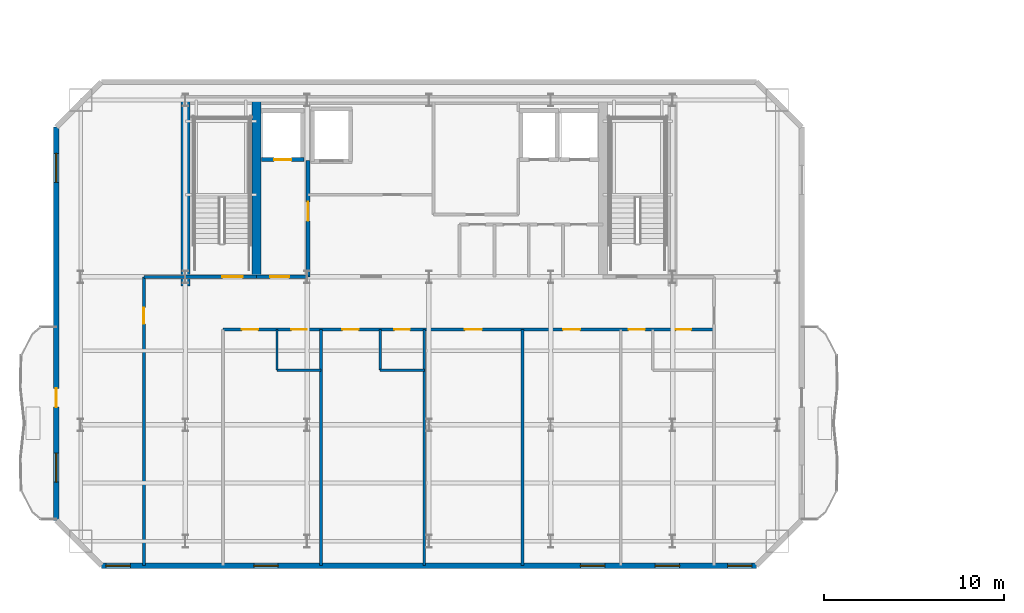
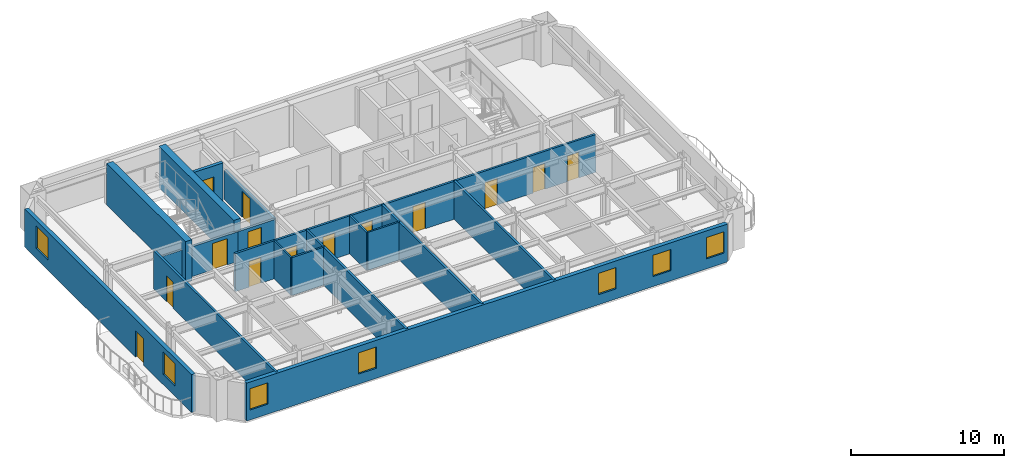
# One storey, part 5 of 13: 18 walls, 14 doors, 7 windows, 21 openings.
"""IFC4 building model written with IfcOpenShell, lengths in metres."""

import ifcopenshell
import ifcopenshell.guid

model = None  # the IFC model being written
_history = None  # IfcOwnerHistory: only IFC2X3 demands one
_inside = {}  # id of a spatial element -> (the spatial element, [elements in it])
_under = {}  # id of a project, library or spatial element -> (it, [spatial elements below it])
_declared = {}  # id of a project -> (the project, [libraries it declares])
_typed = {}  # id of a type object -> (the type object, [elements of that type])
_made_of = {}  # id of a material, layer set ... -> (it, [elements and type objects made of it])


def new_model(schema):
    """Start an empty IFC model of exactly this schema.

    Asked for "IFC4X3", IfcOpenShell would pick the latest addendum, in which some entities
    have other attributes; the version numbers below select the first issue.
    IFC2X3 requires an IfcOwnerHistory on every rooted entity: one is made here for all.
    """
    global model, _history
    if schema == "IFC4X3":
        model = ifcopenshell.file(schema_version=(4, 3, 0, 0))
    else:
        model = ifcopenshell.file(schema=schema)
    _inside.clear()
    _under.clear()
    _declared.clear()
    _typed.clear()
    _made_of.clear()
    _history = None
    if model.schema == "IFC2X3":
        org = make("IfcOrganization", Name="unknown")
        user = make(
            "IfcPersonAndOrganization",
            ThePerson=make("IfcPerson", FamilyName="unknown"),
            TheOrganization=org,
        )
        app = make(
            "IfcApplication",
            ApplicationDeveloper=org,
            Version="unknown",
            ApplicationFullName="unknown",
            ApplicationIdentifier="unknown",
        )
        _history = make(
            "IfcOwnerHistory",
            OwningUser=user,
            OwningApplication=app,
            ChangeAction="ADDED",
            CreationDate=0,
        )
    return model


def make(cls, **values):
    """One entity of the class cls with the attributes given. An attribute that is None is left unset."""
    return model.create_entity(
        cls, **{name: value for name, value in values.items() if value is not None}
    )


def rooted(cls, **values):
    """An entity with a GlobalId (a new one), such as an element, a storey or a relation."""
    return make(cls, GlobalId=ifcopenshell.guid.new(), OwnerHistory=_history, **values)


def si_unit(unit_type, name, prefix=None):
    """IfcSIUnit, for example si_unit("LENGTHUNIT", "METRE", prefix="MILLI")."""
    return make("IfcSIUnit", UnitType=unit_type, Prefix=prefix, Name=name)


def assignment(units):
    """IfcUnitAssignment: the units of a project."""
    return None if units is None else make("IfcUnitAssignment", Units=units)


def point(xyz):
    """IfcCartesianPoint."""
    return None if xyz is None else make("IfcCartesianPoint", Coordinates=xyz)


def direction(xyz):
    """IfcDirection."""
    return None if xyz is None else make("IfcDirection", DirectionRatios=xyz)


def frame(location, z_axis=None, x_axis=None):
    """IfcAxis2Placement3D, a coordinate frame: its origin and axes. An axis left out is left unset."""
    return make(
        "IfcAxis2Placement3D",
        Location=point(location),
        Axis=direction(z_axis),
        RefDirection=direction(x_axis),
    )


def frame_2d(location, x_axis=None):
    """IfcAxis2Placement2D, a coordinate frame in the plane: its origin and x axis."""
    return make(
        "IfcAxis2Placement2D", Location=point(location), RefDirection=direction(x_axis)
    )


def origin():
    """The frame at (0, 0, 0) with its axes left unset."""
    return frame((0.0, 0.0, 0.0))


def place(relative_to, where):
    """IfcLocalPlacement: puts the frame where relative to a parent placement (None: the world)."""
    return make(
        "IfcLocalPlacement", PlacementRelTo=relative_to, RelativePlacement=where
    )


def context(
    kind, dimensions, precision=None, world=None, true_north=None, identifier=None
):
    """IfcGeometricRepresentationContext, for example the 3D "Model" context."""
    return make(
        "IfcGeometricRepresentationContext",
        ContextIdentifier=identifier,
        ContextType=kind,
        CoordinateSpaceDimension=dimensions,
        Precision=precision,
        WorldCoordinateSystem=world,
        TrueNorth=true_north,
    )


def subcontext(parent, identifier, kind, view, scale=None):
    """IfcGeometricRepresentationSubContext, for example "Body" below "Model"."""
    return make(
        "IfcGeometricRepresentationSubContext",
        ContextIdentifier=identifier,
        ContextType=kind,
        ParentContext=parent,
        TargetScale=scale,
        TargetView=view,
    )


def project(units=None, contexts=None):
    """IfcProject with its units and contexts."""
    return rooted(
        "IfcProject",
        Name="project",
        RepresentationContexts=contexts,
        UnitsInContext=assignment(units),
    )


def spatial(cls, under=None, at=None, **own):
    """A site, building, storey or space (cls), placed at a placement, below another one or the project."""
    s = rooted(cls, ObjectPlacement=at, **own)
    if under is not None:
        _under.setdefault(under.id(), (under, []))[1].append(s)
    return s


def profile(cls, at=None, kind="AREA", **sizes):
    """A parametric profile (cls). Its sizes go by their IFC names, for example OverallWidth=200.0."""
    return make(cls, ProfileType=kind, Position=at, **sizes)


def rectangle(**sizes):
    """IfcRectangleProfileDef."""
    return profile("IfcRectangleProfileDef", **sizes)


def extrude(swept, where, along, depth):
    """IfcExtrudedAreaSolid: the profile swept, set in the frame where, extruded along a direction by depth."""
    return make(
        "IfcExtrudedAreaSolid",
        SweptArea=swept,
        Position=where,
        ExtrudedDirection=direction(along),
        Depth=depth,
    )


def shape(context_of_items, identifier, shape_type, items):
    """IfcShapeRepresentation: the items that make up one representation, for example the "Body"."""
    return make(
        "IfcShapeRepresentation",
        ContextOfItems=context_of_items,
        RepresentationIdentifier=identifier,
        RepresentationType=shape_type,
        Items=items,
    )


def material(Name=None, Category=None):
    """IfcMaterial."""
    return make("IfcMaterial", Name=Name, Category=Category)


def layer(
    of_material, thickness, ventilated=None, Name=None, Category=None, Priority=None
):
    """IfcMaterialLayer: one layer of a wall or slab, of a material (None: an air gap)."""
    return make(
        "IfcMaterialLayer",
        Material=of_material,
        LayerThickness=thickness,
        IsVentilated=ventilated,
        Name=Name,
        Category=Category,
        Priority=Priority,
    )


def layer_set(layers, Name=None):
    """IfcMaterialLayerSet."""
    return make("IfcMaterialLayerSet", MaterialLayers=layers, LayerSetName=Name)


def made_of(thing, what):
    """Note that an element or type object is made of a material, layer set ...; save() writes the relation."""
    if what is not None:
        _made_of.setdefault(what.id(), (what, []))[1].append(thing)
    return thing


def type_object(cls, material=None, **own):
    """A type object (cls), such as IfcWallType, which elements share."""
    return made_of(rooted(cls, **own), material)


def element(
    cls,
    number,
    at=None,
    inside=None,
    cuts=None,
    type_object=None,
    material=None,
    context=None,
    identifier="Body",
    shape_type=None,
    held_by="IfcProductDefinitionShape",
    body=None,
    shapes=None,
    **own,
):
    """One element of the class cls, such as IfcWall. Its Tag is "e" and its number.

    at: its placement. inside: the storey or other place that contains it. cuts: it is an
    opening in that element (IfcRelVoidsElement). A single representation is given by context,
    identifier, shape_type and body (its items); several are given by shapes. held_by: the class
    of the entity that holds the representations. save() writes the other relations.
    """
    e = rooted(cls, Tag="e%d" % number, ObjectPlacement=at, **own)
    if body is not None:
        shapes = [shape(context, identifier, shape_type, body)]
    if shapes is not None:
        e.Representation = make(held_by, Representations=shapes)
    if inside is not None:
        _inside.setdefault(inside.id(), (inside, []))[1].append(e)
    if cuts is not None:
        rooted(
            "IfcRelVoidsElement", RelatingBuildingElement=cuts, RelatedOpeningElement=e
        )
    if type_object is not None:
        _typed.setdefault(type_object.id(), (type_object, []))[1].append(e)
    return made_of(e, material)


def fill(opening, filler):
    """IfcRelFillsElement: the door or window that sits in an opening."""
    return rooted(
        "IfcRelFillsElement",
        RelatingOpeningElement=opening,
        RelatedBuildingElement=filler,
    )


def aggregate(whole, parts):
    """IfcRelAggregates: a whole, such as a stair, and the parts it consists of."""
    return rooted("IfcRelAggregates", RelatingObject=whole, RelatedObjects=parts)


def save(model, path):
    """Write the relations noted so far, then the file.

    IfcRelAggregates (storeys below a building ...), IfcRelContainedInSpatialStructure (elements
    in a storey), IfcRelDefinesByType, IfcRelAssociatesMaterial and IfcRelDeclares: one each for
    every whole, place, type object, material and project.
    """
    for whole, parts in _under.values():
        aggregate(whole, parts)
    for where, things in _inside.values():
        rooted(
            "IfcRelContainedInSpatialStructure",
            RelatedElements=things,
            RelatingStructure=where,
        )
    for kind, things in _typed.values():
        rooted("IfcRelDefinesByType", RelatedObjects=things, RelatingType=kind)
    for what, things in _made_of.values():
        rooted("IfcRelAssociatesMaterial", RelatedObjects=things, RelatingMaterial=what)
    for by, libraries in _declared.values():
        rooted("IfcRelDeclares", RelatingContext=by, RelatedDefinitions=libraries)
    model.write(path)


model = new_model("IFC4")

# Units and contexts
model_context = context("Model", 3, precision=1e-05, world=origin(), true_north=direction((0.0, 1.0)))
body_context = subcontext(model_context, "Body", "Model", "MODEL_VIEW")
ifc_project = project(units=[si_unit("LENGTHUNIT", "METRE"), si_unit("AREAUNIT", "SQUARE_METRE"), si_unit("VOLUMEUNIT", "CUBIC_METRE"), si_unit("PLANEANGLEUNIT", "RADIAN"), si_unit("MASSUNIT", "GRAM", prefix="KILO")], contexts=[model_context])

# Site, building, storey
site_placement = place(None, origin())
site = spatial("IfcSite", under=ifc_project, at=site_placement, CompositionType="ELEMENT")
building_placement = place(site_placement, origin())
building = spatial("IfcBuilding", under=site, at=building_placement, Name="Haevon Station Towers", CompositionType="ELEMENT")
storey_placement = place(building_placement, frame((0.0, 0.0, 182.39990234375)))
storey = spatial("IfcBuildingStorey", under=building, at=storey_placement, Name="L50", CompositionType="ELEMENT", Elevation=182.39990234375)

# Wall, opening, door
ifc_material_1 = material(Name="Gypsum board on steel stud", Category="steel")
ifc_layer_1 = layer(ifc_material_1, 0.199951171875)
ifc_layer_set_1 = layer_set([ifc_layer_1], Name="Gypsum board on steel stud")
wall_type_1 = type_object("IfcWallType", Name="WL-COR200", PredefinedType="PARTITIONING", material=ifc_layer_set_1)
wall_1_placement = place(storey_placement, frame((24.0, 38.199951171875, 0.0), z_axis=(0.0, 0.0, 1.0), x_axis=(1.0, 0.0, 0.0)))
wall_1 = element("IfcWall", 1, at=wall_1_placement, inside=storey, type_object=wall_type_1, Name="WL-ST-ST1-L50", PredefinedType="PARTITIONING", context=body_context, shape_type="SweptSolid", body=[
    extrude(rectangle(XDim=3.949951171875, YDim=0.199951171875, at=frame_2d((1.97509765625, 0.0))), origin(), (0.0, 0.0, 1.0), 2.380126953125),
])
opening_1_placement = place(wall_1_placement, frame((2.050048828125, 0.0, 0.0)))
opening_1 = element("IfcOpeningElement", 2, at=opening_1_placement, cuts=wall_1, Name="Opening DR-ST-ST1-L50", PredefinedType="OPENING", context=body_context, shape_type="SweptSolid", body=[
    extrude(rectangle(XDim=1.1201171875, YDim=2.10009765625, at=frame_2d((0.56005859375, 1.050048828125))), frame((0.0, 0.10986328125, 0.0), z_axis=(0.0, -1.0, 0.0), x_axis=(1.0, 0.0, 0.0)), (0.0, 0.0, 1.0), 0.219970703125),
])
ifc_material_2 = material(Name="Engineered oak timber", Category="wood")
door_type_1 = type_object("IfcDoorType", Name="DR-ST-1120", OperationType="NOTDEFINED", PredefinedType="DOOR", material=ifc_material_2)
door_1_placement = place(opening_1_placement, origin())
door_1 = element("IfcDoor", 3, at=door_1_placement, inside=storey, type_object=door_type_1, Name="L50 Escape Stair ST1 Fire Door", OperationType="SINGLE_SWING_LEFT", OverallHeight=2.10009765625, OverallWidth=1.1201171875, PredefinedType="DOOR", context=body_context, shape_type="SweptSolid", body=[
    extrude(rectangle(XDim=1.1201171875, YDim=2.10009765625, at=frame_2d((0.56005859375, 1.050048828125))), frame((0.0, 0.02490234375, 0.0), z_axis=(0.0, -1.0, 0.0), x_axis=(1.0, 0.0, 0.0)), (0.0, 0.0, 1.0), 0.050048828125),
])
fill(opening_1, door_1)

wall_2_placement = place(storey_placement, frame((30.800048828125, 38.199951171875, 0.0), z_axis=(0.0, 0.0, 1.0), x_axis=(0.0, 1.0, 0.0)))
wall_2 = element("IfcWall", 4, at=wall_2_placement, inside=storey, type_object=wall_type_1, Name="WL-T1FFL-L50-E", PredefinedType="PARTITIONING", context=body_context, shape_type="SweptSolid", body=[
    extrude(rectangle(XDim=6.449951171875, YDim=0.199951171875, at=frame_2d((3.22509765625, 0.0))), origin(), (0.0, 0.0, 1.0), 2.380126953125),
])
opening_2_placement = place(wall_2_placement, frame((3.10009765625, 0.0, 0.0)))
opening_2 = element("IfcOpeningElement", 5, at=opening_2_placement, cuts=wall_2, Name="Opening DR-T1FFL-L50-E", PredefinedType="OPENING", context=body_context, shape_type="SweptSolid", body=[
    extrude(rectangle(XDim=1.050048828125, YDim=2.10009765625, at=frame_2d((0.52490234375, 1.050048828125))), frame((0.0, 0.10986328125, 0.0), z_axis=(0.0, -1.0, 0.0), x_axis=(1.0, 0.0, 0.0)), (0.0, 0.0, 1.0), 0.219970703125),
])
door_type_2 = type_object("IfcDoorType", Name="DR-FD60-1050", OperationType="NOTDEFINED", PredefinedType="DOOR", material=ifc_material_2)
door_2_placement = place(opening_2_placement, origin())
door_2 = element("IfcDoor", 6, at=door_2_placement, inside=storey, type_object=door_type_2, Name="L50 Tower 1 Firefighting Lift Lobby Door E", OperationType="SINGLE_SWING_LEFT", OverallHeight=2.10009765625, OverallWidth=1.050048828125, PredefinedType="DOOR", context=body_context, shape_type="SweptSolid", body=[
    extrude(rectangle(XDim=1.050048828125, YDim=2.10009765625, at=frame_2d((0.52490234375, 1.050048828125))), frame((0.0, 0.02490234375, 0.0), z_axis=(0.0, -1.0, 0.0), x_axis=(1.0, 0.0, 0.0)), (0.0, 0.0, 1.0), 0.050048828125),
])
fill(opening_2, door_2)

wall_3_placement = place(storey_placement, frame((27.949951171875, 38.199951171875, 0.0), z_axis=(0.0, 0.0, 1.0), x_axis=(1.0, 0.0, 0.0)))
wall_3 = element("IfcWall", 7, at=wall_3_placement, inside=storey, type_object=wall_type_1, Name="WL-T1FFL-L50-S", PredefinedType="PARTITIONING", context=body_context, shape_type="SweptSolid", body=[
    extrude(rectangle(XDim=2.85009765625, YDim=0.199951171875, at=frame_2d((1.425048828125, 0.0))), origin(), (0.0, 0.0, 1.0), 2.380126953125),
])
opening_3_placement = place(wall_3_placement, frame((0.75, 0.0, 0.0)))
opening_3 = element("IfcOpeningElement", 8, at=opening_3_placement, cuts=wall_3, Name="Opening DR-T1FFL-L50-S", PredefinedType="OPENING", context=body_context, shape_type="SweptSolid", body=[
    extrude(rectangle(XDim=1.050048828125, YDim=2.10009765625, at=frame_2d((0.52490234375, 1.050048828125))), frame((0.0, 0.10986328125, 0.0), z_axis=(0.0, -1.0, 0.0), x_axis=(1.0, 0.0, 0.0)), (0.0, 0.0, 1.0), 0.219970703125),
])
door_3_placement = place(opening_3_placement, origin())
door_3 = element("IfcDoor", 9, at=door_3_placement, inside=storey, type_object=door_type_2, Name="L50 Tower 1 Firefighting Lift Lobby Door S", OperationType="SINGLE_SWING_RIGHT", OverallHeight=2.10009765625, OverallWidth=1.050048828125, PredefinedType="DOOR", context=body_context, shape_type="SweptSolid", body=[
    extrude(rectangle(XDim=1.050048828125, YDim=2.10009765625, at=frame_2d((0.52490234375, 1.050048828125))), frame((0.0, 0.02490234375, 0.0), z_axis=(0.0, -1.0, 0.0), x_axis=(1.0, 0.0, 0.0)), (0.0, 0.0, 1.0), 0.050048828125),
])
fill(opening_3, door_3)

# Walls
ifc_material_3 = material(Name="Concrete C60/75", Category="concrete")
ifc_layer_2 = layer(ifc_material_3, 0.5)
ifc_layer_set_2 = layer_set([ifc_layer_2], Name="Concrete C60/75")
wall_type_2 = type_object("IfcWallType", Name="WL-CR500", PredefinedType="SHEAR", material=ifc_layer_set_2)
wall_4_placement = place(storey_placement, frame((24.0, 37.679931640625, 0.0), z_axis=(0.0, 0.0, 1.0), x_axis=(0.0, 1.0, 0.0)))
element("IfcWall", 10, at=wall_4_placement, inside=storey, type_object=wall_type_2, Name="WL-T1CR-L50-W", PredefinedType="SHEAR", context=body_context, shape_type="SweptSolid", body=[
    extrude(rectangle(XDim=10.320068359375, YDim=0.5, at=frame_2d((5.16015625, 0.0))), origin(), (0.0, 0.0, 1.0), 3.300048828125),
])
wall_5_placement = place(storey_placement, frame((27.949951171875, 38.199951171875, 0.0), z_axis=(0.0, 0.0, 1.0), x_axis=(0.0, 1.0, 0.0)))
element("IfcWall", 11, at=wall_5_placement, inside=storey, type_object=wall_type_2, Name="WL-T1CR-L50-M1", PredefinedType="SHEAR", context=body_context, shape_type="SweptSolid", body=[
    extrude(rectangle(XDim=9.800048828125, YDim=0.5, at=frame_2d((4.89990234375, 0.0))), origin(), (0.0, 0.0, 1.0), 3.300048828125),
])

# Wall, openings, windows
ifc_material_4 = material(Name="Precast concrete C45/55", Category="concrete")
ifc_layer_3 = layer(ifc_material_4, 0.300048828125)
ifc_layer_set_3 = layer_set([ifc_layer_3], Name="Precast concrete C45/55")
wall_type_3 = type_object("IfcWallType", Name="WL-EXT-PIER300", PredefinedType="SOLIDWALL", material=ifc_layer_set_3)
wall_6_placement = place(storey_placement, frame((55.64990234375, 22.199951171875, 0.0), z_axis=(0.0, 0.0, 1.0), x_axis=(-1.0, 0.0, 0.0)))
wall_6 = element("IfcWall", 12, at=wall_6_placement, inside=storey, type_object=wall_type_3, Name="WL-T1-L50-S", PredefinedType="SOLIDWALL", context=body_context, shape_type="SweptSolid", body=[
    extrude(rectangle(XDim=36.2998046875, YDim=0.300048828125, at=frame_2d((18.14990234375, 0.0))), origin(), (0.0, 0.0, 1.0), 3.030029296875),
])
opening_4_placement = place(wall_6_placement, frame((34.699951171875, 0.0, 0.800048828125)))
opening_4 = element("IfcOpeningElement", 13, at=opening_4_placement, cuts=wall_6, Name="Opening WN-P135", PredefinedType="OPENING", context=body_context, shape_type="SweptSolid", body=[
    extrude(rectangle(XDim=1.35009765625, YDim=1.699951171875, at=frame_2d((0.675048828125, 0.85009765625))), frame((0.0, 0.159912109375, 0.0), z_axis=(0.0, -1.0, 0.0), x_axis=(1.0, 0.0, 0.0)), (0.0, 0.0, 1.0), 0.320068359375),
])
opening_5_placement = place(wall_6_placement, frame((0.25, 0.0, 0.800048828125)))
opening_5 = element("IfcOpeningElement", 14, at=opening_5_placement, cuts=wall_6, Name="Opening WN-P135", PredefinedType="OPENING", context=body_context, shape_type="SweptSolid", body=[
    extrude(rectangle(XDim=1.35009765625, YDim=1.699951171875, at=frame_2d((0.675048828125, 0.85009765625))), frame((0.0, 0.159912109375, 0.0), z_axis=(0.0, -1.0, 0.0), x_axis=(1.0, 0.0, 0.0)), (0.0, 0.0, 1.0), 0.320068359375),
])
opening_6_placement = place(wall_6_placement, frame((26.50634765625, 0.0, 0.800048828125)))
opening_6 = element("IfcOpeningElement", 15, at=opening_6_placement, cuts=wall_6, Name="Opening WN-P135", PredefinedType="OPENING", context=body_context, shape_type="SweptSolid", body=[
    extrude(rectangle(XDim=1.35009765625, YDim=1.699951171875, at=frame_2d((0.675048828125, 0.85009765625))), frame((0.0, 0.159912109375, 0.0), z_axis=(0.0, -1.0, 0.0), x_axis=(1.0, 0.0, 0.0)), (0.0, 0.0, 1.0), 0.320068359375),
])
opening_7_placement = place(wall_6_placement, frame((8.40185546875, 0.0, 0.800048828125)))
opening_7 = element("IfcOpeningElement", 16, at=opening_7_placement, cuts=wall_6, Name="Opening WN-P135", PredefinedType="OPENING", context=body_context, shape_type="SweptSolid", body=[
    extrude(rectangle(XDim=1.35009765625, YDim=1.699951171875, at=frame_2d((0.675048828125, 0.85009765625))), frame((0.0, 0.159912109375, 0.0), z_axis=(0.0, -1.0, 0.0), x_axis=(1.0, 0.0, 0.0)), (0.0, 0.0, 1.0), 0.320068359375),
])
opening_8_placement = place(wall_6_placement, frame((4.260986328125, 0.0, 0.800048828125)))
opening_8 = element("IfcOpeningElement", 17, at=opening_8_placement, cuts=wall_6, Name="Opening WN-P135", PredefinedType="OPENING", context=body_context, shape_type="SweptSolid", body=[
    extrude(rectangle(XDim=1.35009765625, YDim=1.699951171875, at=frame_2d((0.675048828125, 0.85009765625))), frame((0.0, 0.159912109375, 0.0), z_axis=(0.0, -1.0, 0.0), x_axis=(1.0, 0.0, 0.0)), (0.0, 0.0, 1.0), 0.320068359375),
])
ifc_material_5 = material(Name="Low-E triple glazing in thermally broken aluminium", Category="aluminium")
window_type_1 = type_object("IfcWindowType", Name="WN-P135", PartitioningType="SINGLE_PANEL", PredefinedType="WINDOW", material=ifc_material_5)
window_1_placement = place(opening_4_placement, origin())
window_1 = element("IfcWindow", 18, at=window_1_placement, inside=storey, type_object=window_type_1, Name="WN-T1-L50-S01", OverallHeight=1.699951171875, OverallWidth=1.35009765625, PartitioningType="SINGLE_PANEL", PredefinedType="WINDOW", context=body_context, shape_type="SweptSolid", body=[
    extrude(rectangle(XDim=1.35009765625, YDim=1.699951171875, at=frame_2d((0.675048828125, 0.85009765625))), frame((0.0, 0.030029296875, 0.0), z_axis=(0.0, -1.0, 0.0), x_axis=(1.0, 0.0, 0.0)), (0.0, 0.0, 1.0), 0.06005859375),
])
fill(opening_4, window_1)
window_2_placement = place(opening_5_placement, origin())
window_2 = element("IfcWindow", 19, at=window_2_placement, inside=storey, type_object=window_type_1, Name="WN-T1-L50-S02", OverallHeight=1.699951171875, OverallWidth=1.35009765625, PartitioningType="SINGLE_PANEL", PredefinedType="WINDOW", context=body_context, shape_type="SweptSolid", body=[
    extrude(rectangle(XDim=1.35009765625, YDim=1.699951171875, at=frame_2d((0.675048828125, 0.85009765625))), frame((0.0, 0.030029296875, 0.0), z_axis=(0.0, -1.0, 0.0), x_axis=(1.0, 0.0, 0.0)), (0.0, 0.0, 1.0), 0.06005859375),
])
fill(opening_5, window_2)
window_3_placement = place(opening_6_placement, origin())
window_3 = element("IfcWindow", 20, at=window_3_placement, inside=storey, type_object=window_type_1, Name="WN-T1-L50-S03", OverallHeight=1.699951171875, OverallWidth=1.35009765625, PartitioningType="SINGLE_PANEL", PredefinedType="WINDOW", context=body_context, shape_type="SweptSolid", body=[
    extrude(rectangle(XDim=1.35009765625, YDim=1.699951171875, at=frame_2d((0.675048828125, 0.85009765625))), frame((0.0, 0.030029296875, 0.0), z_axis=(0.0, -1.0, 0.0), x_axis=(1.0, 0.0, 0.0)), (0.0, 0.0, 1.0), 0.06005859375),
])
fill(opening_6, window_3)
window_4_placement = place(opening_7_placement, origin())
window_4 = element("IfcWindow", 21, at=window_4_placement, inside=storey, type_object=window_type_1, Name="WN-T1-L50-S04", OverallHeight=1.699951171875, OverallWidth=1.35009765625, PartitioningType="SINGLE_PANEL", PredefinedType="WINDOW", context=body_context, shape_type="SweptSolid", body=[
    extrude(rectangle(XDim=1.35009765625, YDim=1.699951171875, at=frame_2d((0.675048828125, 0.85009765625))), frame((0.0, 0.030029296875, 0.0), z_axis=(0.0, -1.0, 0.0), x_axis=(1.0, 0.0, 0.0)), (0.0, 0.0, 1.0), 0.06005859375),
])
fill(opening_7, window_4)
window_5_placement = place(opening_8_placement, origin())
window_5 = element("IfcWindow", 22, at=window_5_placement, inside=storey, type_object=window_type_1, Name="WN-T1-L50-S05", OverallHeight=1.699951171875, OverallWidth=1.35009765625, PartitioningType="SINGLE_PANEL", PredefinedType="WINDOW", context=body_context, shape_type="SweptSolid", body=[
    extrude(rectangle(XDim=1.35009765625, YDim=1.699951171875, at=frame_2d((0.675048828125, 0.85009765625))), frame((0.0, 0.030029296875, 0.0), z_axis=(0.0, -1.0, 0.0), x_axis=(1.0, 0.0, 0.0)), (0.0, 0.0, 1.0), 0.06005859375),
])
fill(opening_8, window_5)

# Wall, openings, door, windows
wall_7_placement = place(storey_placement, frame((16.85009765625, 24.699951171875, 0.0), z_axis=(0.0, 0.0, 1.0), x_axis=(0.0, 1.0, 0.0)))
wall_7 = element("IfcWall", 23, at=wall_7_placement, inside=storey, type_object=wall_type_3, Name="WL-T1-L50-W", PredefinedType="SOLIDWALL", context=body_context, shape_type="SweptSolid", body=[
    extrude(rectangle(XDim=21.800048828125, YDim=0.300048828125, at=frame_2d((10.89990234375, 0.0))), origin(), (0.0, 0.0, 1.0), 3.030029296875),
])
opening_9_placement = place(wall_7_placement, frame((6.27490234375, 0.0, 0.0)))
opening_9 = element("IfcOpeningElement", 24, at=opening_9_placement, cuts=wall_7, Name="Opening DR-T1-SCAL-L50-W", PredefinedType="OPENING", context=body_context, shape_type="SweptSolid", body=[
    extrude(rectangle(XDim=1.050048828125, YDim=2.10009765625, at=frame_2d((0.52490234375, 1.050048828125))), frame((0.0, 0.159912109375, 0.0), z_axis=(0.0, -1.0, 0.0), x_axis=(1.0, 0.0, 0.0)), (0.0, 0.0, 1.0), 0.320068359375),
])
opening_10_placement = place(wall_7_placement, frame((2.128662109375, 0.0, 0.800048828125)))
opening_10 = element("IfcOpeningElement", 25, at=opening_10_placement, cuts=wall_7, Name="Opening WN-END160", PredefinedType="OPENING", context=body_context, shape_type="SweptSolid", body=[
    extrude(rectangle(XDim=1.60009765625, YDim=1.800048828125, at=frame_2d((0.800048828125, 0.89990234375))), frame((0.0, 0.159912109375, 0.0), z_axis=(0.0, -1.0, 0.0), x_axis=(1.0, 0.0, 0.0)), (0.0, 0.0, 1.0), 0.320068359375),
])
opening_11_placement = place(wall_7_placement, frame((18.735595703125, 0.0, 0.800048828125)))
opening_11 = element("IfcOpeningElement", 26, at=opening_11_placement, cuts=wall_7, Name="Opening WN-END160", PredefinedType="OPENING", context=body_context, shape_type="SweptSolid", body=[
    extrude(rectangle(XDim=1.60009765625, YDim=1.800048828125, at=frame_2d((0.800048828125, 0.89990234375))), frame((0.0, 0.159912109375, 0.0), z_axis=(0.0, -1.0, 0.0), x_axis=(1.0, 0.0, 0.0)), (0.0, 0.0, 1.0), 0.320068359375),
])
ifc_material_6 = material(Name="Thermally broken anodised aluminium and laminated safety glass", Category="aluminium")
door_type_3 = type_object("IfcDoorType", Name="DR-BALC-1050", OperationType="NOTDEFINED", PredefinedType="DOOR", material=ifc_material_6)
door_4_placement = place(opening_9_placement, origin())
door_4 = element("IfcDoor", 27, at=door_4_placement, inside=storey, type_object=door_type_3, Name="Tower 1 L50 West Scalloped Balcony Door", OperationType="SINGLE_SWING_LEFT", OverallHeight=2.10009765625, OverallWidth=1.050048828125, PredefinedType="DOOR", context=body_context, shape_type="SweptSolid", body=[
    extrude(rectangle(XDim=1.050048828125, YDim=2.10009765625, at=frame_2d((0.52490234375, 1.050048828125))), frame((0.0, 0.02490234375, 0.0), z_axis=(0.0, -1.0, 0.0), x_axis=(1.0, 0.0, 0.0)), (0.0, 0.0, 1.0), 0.050048828125),
])
fill(opening_9, door_4)
window_type_2 = type_object("IfcWindowType", Name="WN-END160", PartitioningType="SINGLE_PANEL", PredefinedType="WINDOW", material=ifc_material_5)
window_6_placement = place(opening_10_placement, origin())
window_6 = element("IfcWindow", 28, at=window_6_placement, inside=storey, type_object=window_type_2, Name="WN-T1-L50-W01", OverallHeight=1.800048828125, OverallWidth=1.60009765625, PartitioningType="SINGLE_PANEL", PredefinedType="WINDOW", context=body_context, shape_type="SweptSolid", body=[
    extrude(rectangle(XDim=1.60009765625, YDim=1.800048828125, at=frame_2d((0.800048828125, 0.89990234375))), frame((0.0, 0.030029296875, 0.0), z_axis=(0.0, -1.0, 0.0), x_axis=(1.0, 0.0, 0.0)), (0.0, 0.0, 1.0), 0.06005859375),
])
fill(opening_10, window_6)
window_7_placement = place(opening_11_placement, origin())
window_7 = element("IfcWindow", 29, at=window_7_placement, inside=storey, type_object=window_type_2, Name="WN-T1-L50-W02", OverallHeight=1.800048828125, OverallWidth=1.60009765625, PartitioningType="SINGLE_PANEL", PredefinedType="WINDOW", context=body_context, shape_type="SweptSolid", body=[
    extrude(rectangle(XDim=1.60009765625, YDim=1.800048828125, at=frame_2d((0.800048828125, 0.89990234375))), frame((0.0, 0.030029296875, 0.0), z_axis=(0.0, -1.0, 0.0), x_axis=(1.0, 0.0, 0.0)), (0.0, 0.0, 1.0), 0.06005859375),
])
fill(opening_11, window_7)

# Walls
ifc_layer_4 = layer(ifc_material_1, 0.125)
ifc_layer_set_4 = layer_set([ifc_layer_4], Name="Gypsum board on steel stud")
wall_type_4 = type_object("IfcWallType", Name="WL-PRT125", PredefinedType="PARTITIONING", material=ifc_layer_set_4)
wall_8_placement = place(storey_placement, frame((29.073974609375, 33.030029296875, 0.0), z_axis=(0.0, 0.0, 1.0), x_axis=(0.0, 1.0, 0.0)))
element("IfcWall", 30, at=wall_8_placement, inside=storey, type_object=wall_type_4, Name="WL-T1PT-L50-07", PredefinedType="PARTITIONING", context=body_context, shape_type="SweptSolid", body=[
    extrude(rectangle(XDim=2.25, YDim=0.125, at=frame_2d((1.125, 0.0))), origin(), (0.0, 0.0, 1.0), 3.030029296875),
])
wall_9_placement = place(storey_placement, frame((34.790283203125, 33.030029296875, 0.0), z_axis=(0.0, 0.0, 1.0), x_axis=(1.0, 0.0, 0.0)))
element("IfcWall", 31, at=wall_9_placement, inside=storey, type_object=wall_type_4, Name="WL-T1PT-L50-09", PredefinedType="PARTITIONING", context=body_context, shape_type="SweptSolid", body=[
    extrude(rectangle(XDim=2.449951171875, YDim=0.125, at=frame_2d((1.22509765625, 0.0))), origin(), (0.0, 0.0, 1.0), 3.030029296875),
])
ifc_layer_5 = layer(ifc_material_1, 0.139892578125)
ifc_layer_set_5 = layer_set([ifc_layer_5], Name="Gypsum board on steel stud")
wall_type_5 = type_object("IfcWallType", Name="WL-PRT140", PredefinedType="PARTITIONING", material=ifc_layer_set_5)
wall_10_placement = place(storey_placement, frame((29.073974609375, 33.030029296875, 0.0), z_axis=(0.0, 0.0, 1.0), x_axis=(1.0, 0.0, 0.0)))
element("IfcWall", 32, at=wall_10_placement, inside=storey, type_object=wall_type_5, Name="WL-T1PT-L50-06", PredefinedType="PARTITIONING", context=body_context, shape_type="SweptSolid", body=[
    extrude(rectangle(XDim=2.449951171875, YDim=0.139892578125, at=frame_2d((1.22509765625, 0.0))), origin(), (0.0, 0.0, 1.0), 3.030029296875),
])
wall_11_placement = place(storey_placement, frame((34.790283203125, 33.030029296875, 0.0), z_axis=(0.0, 0.0, 1.0), x_axis=(0.0, 1.0, 0.0)))
element("IfcWall", 33, at=wall_11_placement, inside=storey, type_object=wall_type_5, Name="WL-T1PT-L50-10", PredefinedType="PARTITIONING", context=body_context, shape_type="SweptSolid", body=[
    extrude(rectangle(XDim=2.25, YDim=0.139892578125, at=frame_2d((1.125, 0.0))), origin(), (0.0, 0.0, 1.0), 3.030029296875),
])
ifc_layer_6 = layer(ifc_material_1, 0.159912109375)
ifc_layer_set_6 = layer_set([ifc_layer_6], Name="Gypsum board on steel stud")
wall_type_6 = type_object("IfcWallType", Name="WL-PRT160", PredefinedType="PARTITIONING", material=ifc_layer_set_6)
wall_12_placement = place(storey_placement, frame((21.699951171875, 38.199951171875, 0.0), z_axis=(0.0, 0.0, 1.0), x_axis=(1.0, 0.0, 0.0)))
element("IfcWall", 34, at=wall_12_placement, inside=storey, type_object=wall_type_6, Name="WL-T1PT-L50-02", PredefinedType="PARTITIONING", context=body_context, shape_type="SweptSolid", body=[
    extrude(rectangle(XDim=2.300048828125, YDim=0.159912109375, at=frame_2d((1.14990234375, 0.0))), origin(), (0.0, 0.0, 1.0), 2.380126953125),
])

# Wall, opening, door
wall_13_placement = place(storey_placement, frame((21.699951171875, 22.199951171875, 0.0), z_axis=(0.0, 0.0, 1.0), x_axis=(0.0, 1.0, 0.0)))
wall_13 = element("IfcWall", 35, at=wall_13_placement, inside=storey, type_object=wall_type_6, Name="WL-T1PT-L50-04", PredefinedType="PARTITIONING", context=body_context, shape_type="SweptSolid", body=[
    extrude(rectangle(XDim=16.0, YDim=0.159912109375, at=frame_2d((8.0, 0.0))), origin(), (0.0, 0.0, 1.0), 3.030029296875),
])
opening_12_placement = place(wall_13_placement, frame((13.39990234375, 0.0, 0.0)))
opening_12 = element("IfcOpeningElement", 36, at=opening_12_placement, cuts=wall_13, Name="Opening DR-WL-T1PT-L50-04-01", PredefinedType="OPENING", context=body_context, shape_type="SweptSolid", body=[
    extrude(rectangle(XDim=0.89990234375, YDim=2.050048828125, at=frame_2d((0.449951171875, 1.02490234375))), frame((0.0, 0.08984375, 0.0), z_axis=(0.0, -1.0, 0.0), x_axis=(1.0, 0.0, 0.0)), (0.0, 0.0, 1.0), 0.179931640625),
])
door_type_4 = type_object("IfcDoorType", Name="DR-INT-900", OperationType="NOTDEFINED", PredefinedType="DOOR", material=ifc_material_2)
door_5_placement = place(opening_12_placement, origin())
door_5 = element("IfcDoor", 37, at=door_5_placement, inside=storey, type_object=door_type_4, Name="L50 Tower 1 Room Door 4-1", OperationType="SINGLE_SWING_LEFT", OverallHeight=2.050048828125, OverallWidth=0.89990234375, PredefinedType="DOOR", context=body_context, shape_type="SweptSolid", body=[
    extrude(rectangle(XDim=0.89990234375, YDim=2.050048828125, at=frame_2d((0.449951171875, 1.02490234375))), frame((0.0, 0.02490234375, 0.0), z_axis=(0.0, -1.0, 0.0), x_axis=(1.0, 0.0, 0.0)), (0.0, 0.0, 1.0), 0.050048828125),
])
fill(opening_12, door_5)

# Walls
for number, where, z_axis, x_axis, name in (
    (38, (31.52392578125, 22.199951171875, 0.0), (0.0, 0.0, 1.0), (0.0, 1.0, 0.0), "WL-T1PT-L50-08"),
    (39, (37.240234375, 22.199951171875, 0.0), (0.0, 0.0, 1.0), (0.0, 1.0, 0.0), "WL-T1PT-L50-11"),
    (40, (42.68408203125, 22.199951171875, 0.0), (0.0, 0.0, 1.0), (0.0, 1.0, 0.0), "WL-T1PT-L50-12"),
):
    element("IfcWall", number, at=place(storey_placement, frame(where, z_axis=z_axis, x_axis=x_axis)), inside=storey, type_object=wall_type_6, Name=name, PredefinedType="PARTITIONING", context=body_context, shape_type="SweptSolid", body=[
        extrude(rectangle(XDim=13.080078125, YDim=0.159912109375, at=frame_2d((6.5400390625, 0.0))), origin(), (0.0, 0.0, 1.0), 3.030029296875),
    ])

# Wall, openings, doors
wall_14_placement = place(storey_placement, frame((26.080078125, 35.280029296875, 0.0), z_axis=(0.0, 0.0, 1.0), x_axis=(1.0, 0.0, 0.0)))
wall_14 = element("IfcWall", 41, at=wall_14_placement, inside=storey, type_object=wall_type_6, Name="WL-T1PT-L50-16", PredefinedType="PARTITIONING", context=body_context, shape_type="SweptSolid", body=[
    extrude(rectangle(XDim=27.219970703125, YDim=0.159912109375, at=frame_2d((13.60986328125, 0.0))), origin(), (0.0, 0.0, 1.0), 3.030029296875),
])
opening_13_placement = place(wall_14_placement, frame((3.7939453125, 0.0, 0.0)))
opening_13 = element("IfcOpeningElement", 42, at=opening_13_placement, cuts=wall_14, Name="Opening DR-WL-T1PT-L50-16-01", PredefinedType="OPENING", context=body_context, shape_type="SweptSolid", body=[
    extrude(rectangle(XDim=0.85009765625, YDim=2.050048828125, at=frame_2d((0.425048828125, 1.02490234375))), frame((0.0, 0.08984375, 0.0), z_axis=(0.0, -1.0, 0.0), x_axis=(1.0, 0.0, 0.0)), (0.0, 0.0, 1.0), 0.179931640625),
])
opening_14_placement = place(wall_14_placement, frame((1.047119140625, 0.0, 0.0)))
opening_14 = element("IfcOpeningElement", 43, at=opening_14_placement, cuts=wall_14, Name="Opening DR-WL-T1PT-L50-16-02", PredefinedType="OPENING", context=body_context, shape_type="SweptSolid", body=[
    extrude(rectangle(XDim=0.89990234375, YDim=2.050048828125, at=frame_2d((0.449951171875, 1.02490234375))), frame((0.0, 0.08984375, 0.0), z_axis=(0.0, -1.0, 0.0), x_axis=(1.0, 0.0, 0.0)), (0.0, 0.0, 1.0), 0.179931640625),
])
opening_15_placement = place(wall_14_placement, frame((9.510009765625, 0.0, 0.0)))
opening_15 = element("IfcOpeningElement", 44, at=opening_15_placement, cuts=wall_14, Name="Opening DR-WL-T1PT-L50-16-03", PredefinedType="OPENING", context=body_context, shape_type="SweptSolid", body=[
    extrude(rectangle(XDim=0.85009765625, YDim=2.050048828125, at=frame_2d((0.425048828125, 1.02490234375))), frame((0.0, 0.08984375, 0.0), z_axis=(0.0, -1.0, 0.0), x_axis=(1.0, 0.0, 0.0)), (0.0, 0.0, 1.0), 0.179931640625),
])
opening_16_placement = place(wall_14_placement, frame((6.626953125, 0.0, 0.0)))
opening_16 = element("IfcOpeningElement", 45, at=opening_16_placement, cuts=wall_14, Name="Opening DR-WL-T1PT-L50-16-04", PredefinedType="OPENING", context=body_context, shape_type="SweptSolid", body=[
    extrude(rectangle(XDim=0.89990234375, YDim=2.050048828125, at=frame_2d((0.449951171875, 1.02490234375))), frame((0.0, 0.08984375, 0.0), z_axis=(0.0, -1.0, 0.0), x_axis=(1.0, 0.0, 0.0)), (0.0, 0.0, 1.0), 0.179931640625),
])
opening_17_placement = place(wall_14_placement, frame((13.406982421875, 0.0, 0.0)))
opening_17 = element("IfcOpeningElement", 46, at=opening_17_placement, cuts=wall_14, Name="Opening DR-WL-T1PT-L50-16-05", PredefinedType="OPENING", context=body_context, shape_type="SweptSolid", body=[
    extrude(rectangle(XDim=0.949951171875, YDim=2.10009765625, at=frame_2d((0.47509765625, 1.050048828125))), frame((0.0, 0.08984375, 0.0), z_axis=(0.0, -1.0, 0.0), x_axis=(1.0, 0.0, 0.0)), (0.0, 0.0, 1.0), 0.179931640625),
])
opening_18_placement = place(wall_14_placement, frame((18.85107421875, 0.0, 0.0)))
opening_18 = element("IfcOpeningElement", 47, at=opening_18_placement, cuts=wall_14, Name="Opening DR-WL-T1PT-L50-16-06", PredefinedType="OPENING", context=body_context, shape_type="SweptSolid", body=[
    extrude(rectangle(XDim=0.949951171875, YDim=2.10009765625, at=frame_2d((0.47509765625, 1.050048828125))), frame((0.0, 0.08984375, 0.0), z_axis=(0.0, -1.0, 0.0), x_axis=(1.0, 0.0, 0.0)), (0.0, 0.0, 1.0), 0.179931640625),
])
opening_19_placement = place(wall_14_placement, frame((25.09912109375, 0.0, 0.0)))
opening_19 = element("IfcOpeningElement", 48, at=opening_19_placement, cuts=wall_14, Name="Opening DR-WL-T1PT-L50-16-07", PredefinedType="OPENING", context=body_context, shape_type="SweptSolid", body=[
    extrude(rectangle(XDim=0.85009765625, YDim=2.050048828125, at=frame_2d((0.425048828125, 1.02490234375))), frame((0.0, 0.08984375, 0.0), z_axis=(0.0, -1.0, 0.0), x_axis=(1.0, 0.0, 0.0)), (0.0, 0.0, 1.0), 0.179931640625),
])
opening_20_placement = place(wall_14_placement, frame((22.488037109375, 0.0, 0.0)))
opening_20 = element("IfcOpeningElement", 49, at=opening_20_placement, cuts=wall_14, Name="Opening DR-WL-T1PT-L50-16-08", PredefinedType="OPENING", context=body_context, shape_type="SweptSolid", body=[
    extrude(rectangle(XDim=0.89990234375, YDim=2.050048828125, at=frame_2d((0.449951171875, 1.02490234375))), frame((0.0, 0.08984375, 0.0), z_axis=(0.0, -1.0, 0.0), x_axis=(1.0, 0.0, 0.0)), (0.0, 0.0, 1.0), 0.179931640625),
])
door_type_5 = type_object("IfcDoorType", Name="DR-FD30-850", OperationType="NOTDEFINED", PredefinedType="DOOR", material=ifc_material_2)
door_6_placement = place(opening_13_placement, origin())
door_6 = element("IfcDoor", 50, at=door_6_placement, inside=storey, type_object=door_type_5, Name="L50 Tower 1 Room Door 16-1", OperationType="SINGLE_SWING_LEFT", OverallHeight=2.050048828125, OverallWidth=0.85009765625, PredefinedType="DOOR", context=body_context, shape_type="SweptSolid", body=[
    extrude(rectangle(XDim=0.85009765625, YDim=2.050048828125, at=frame_2d((0.425048828125, 1.02490234375))), frame((0.0, 0.02490234375, 0.0), z_axis=(0.0, -1.0, 0.0), x_axis=(1.0, 0.0, 0.0)), (0.0, 0.0, 1.0), 0.050048828125),
])
fill(opening_13, door_6)
door_7_placement = place(opening_15_placement, origin())
door_7 = element("IfcDoor", 51, at=door_7_placement, inside=storey, type_object=door_type_5, Name="L50 Tower 1 Room Door 16-3", OperationType="SINGLE_SWING_LEFT", OverallHeight=2.050048828125, OverallWidth=0.85009765625, PredefinedType="DOOR", context=body_context, shape_type="SweptSolid", body=[
    extrude(rectangle(XDim=0.85009765625, YDim=2.050048828125, at=frame_2d((0.425048828125, 1.02490234375))), frame((0.0, 0.02490234375, 0.0), z_axis=(0.0, -1.0, 0.0), x_axis=(1.0, 0.0, 0.0)), (0.0, 0.0, 1.0), 0.050048828125),
])
fill(opening_15, door_7)
door_8_placement = place(opening_19_placement, origin())
door_8 = element("IfcDoor", 52, at=door_8_placement, inside=storey, type_object=door_type_5, Name="L50 Tower 1 Room Door 16-7", OperationType="SINGLE_SWING_LEFT", OverallHeight=2.050048828125, OverallWidth=0.85009765625, PredefinedType="DOOR", context=body_context, shape_type="SweptSolid", body=[
    extrude(rectangle(XDim=0.85009765625, YDim=2.050048828125, at=frame_2d((0.425048828125, 1.02490234375))), frame((0.0, 0.02490234375, 0.0), z_axis=(0.0, -1.0, 0.0), x_axis=(1.0, 0.0, 0.0)), (0.0, 0.0, 1.0), 0.050048828125),
])
fill(opening_19, door_8)
door_type_6 = type_object("IfcDoorType", Name="DR-FD30-950", OperationType="NOTDEFINED", PredefinedType="DOOR", material=ifc_material_2)
door_9_placement = place(opening_17_placement, origin())
door_9 = element("IfcDoor", 53, at=door_9_placement, inside=storey, type_object=door_type_6, Name="L50 Tower 1 Room Door 16-5", OperationType="SINGLE_SWING_LEFT", OverallHeight=2.10009765625, OverallWidth=0.949951171875, PredefinedType="DOOR", context=body_context, shape_type="SweptSolid", body=[
    extrude(rectangle(XDim=0.949951171875, YDim=2.10009765625, at=frame_2d((0.47509765625, 1.050048828125))), frame((0.0, 0.02490234375, 0.0), z_axis=(0.0, -1.0, 0.0), x_axis=(1.0, 0.0, 0.0)), (0.0, 0.0, 1.0), 0.050048828125),
])
fill(opening_17, door_9)
door_10_placement = place(opening_18_placement, origin())
door_10 = element("IfcDoor", 54, at=door_10_placement, inside=storey, type_object=door_type_6, Name="L50 Tower 1 Room Door 16-6", OperationType="SINGLE_SWING_RIGHT", OverallHeight=2.10009765625, OverallWidth=0.949951171875, PredefinedType="DOOR", context=body_context, shape_type="SweptSolid", body=[
    extrude(rectangle(XDim=0.949951171875, YDim=2.10009765625, at=frame_2d((0.47509765625, 1.050048828125))), frame((0.0, 0.02490234375, 0.0), z_axis=(0.0, -1.0, 0.0), x_axis=(1.0, 0.0, 0.0)), (0.0, 0.0, 1.0), 0.050048828125),
])
fill(opening_18, door_10)
door_11_placement = place(opening_14_placement, origin())
door_11 = element("IfcDoor", 55, at=door_11_placement, inside=storey, type_object=door_type_4, Name="L50 Tower 1 Room Door 16-2", OperationType="SINGLE_SWING_RIGHT", OverallHeight=2.050048828125, OverallWidth=0.89990234375, PredefinedType="DOOR", context=body_context, shape_type="SweptSolid", body=[
    extrude(rectangle(XDim=0.89990234375, YDim=2.050048828125, at=frame_2d((0.449951171875, 1.02490234375))), frame((0.0, 0.02490234375, 0.0), z_axis=(0.0, -1.0, 0.0), x_axis=(1.0, 0.0, 0.0)), (0.0, 0.0, 1.0), 0.050048828125),
])
fill(opening_14, door_11)
door_12_placement = place(opening_16_placement, origin())
door_12 = element("IfcDoor", 56, at=door_12_placement, inside=storey, type_object=door_type_4, Name="L50 Tower 1 Room Door 16-4", OperationType="SINGLE_SWING_RIGHT", OverallHeight=2.050048828125, OverallWidth=0.89990234375, PredefinedType="DOOR", context=body_context, shape_type="SweptSolid", body=[
    extrude(rectangle(XDim=0.89990234375, YDim=2.050048828125, at=frame_2d((0.449951171875, 1.02490234375))), frame((0.0, 0.02490234375, 0.0), z_axis=(0.0, -1.0, 0.0), x_axis=(1.0, 0.0, 0.0)), (0.0, 0.0, 1.0), 0.050048828125),
])
fill(opening_16, door_12)
door_13_placement = place(opening_20_placement, origin())
door_13 = element("IfcDoor", 57, at=door_13_placement, inside=storey, type_object=door_type_4, Name="L50 Tower 1 Room Door 16-8", OperationType="SINGLE_SWING_RIGHT", OverallHeight=2.050048828125, OverallWidth=0.89990234375, PredefinedType="DOOR", context=body_context, shape_type="SweptSolid", body=[
    extrude(rectangle(XDim=0.89990234375, YDim=2.050048828125, at=frame_2d((0.449951171875, 1.02490234375))), frame((0.0, 0.02490234375, 0.0), z_axis=(0.0, -1.0, 0.0), x_axis=(1.0, 0.0, 0.0)), (0.0, 0.0, 1.0), 0.050048828125),
])
fill(opening_20, door_13)

# Wall, opening, door
ifc_material_7 = material(Name="Concrete C40/50", Category="concrete")
ifc_layer_7 = layer(ifc_material_7, 0.239990234375)
ifc_layer_set_7 = layer_set([ifc_layer_7], Name="Concrete C40/50")
wall_type_7 = type_object("IfcWallType", Name="WL-SHF240", PredefinedType="PARTITIONING", material=ifc_layer_set_7)
wall_15_placement = place(storey_placement, frame((28.219970703125, 44.699951171875, 0.0), z_axis=(0.0, 0.0, 1.0), x_axis=(1.0, 0.0, 0.0)))
wall_15 = element("IfcWall", 58, at=wall_15_placement, inside=storey, type_object=wall_type_7, Name="WL-SHF-FL1-L50", PredefinedType="PARTITIONING", context=body_context, shape_type="SweptSolid", body=[
    extrude(rectangle(XDim=2.360107421875, YDim=0.239990234375, at=frame_2d((1.18017578125, 0.0))), origin(), (0.0, 0.0, 1.0), 3.030029296875),
])
opening_21_placement = place(wall_15_placement, frame((0.705078125, 0.0, 0.0)))
opening_21 = element("IfcOpeningElement", 59, at=opening_21_placement, cuts=wall_15, Name="Opening LD-FL1-L50", PredefinedType="OPENING", context=body_context, shape_type="SweptSolid", body=[
    extrude(rectangle(XDim=0.949951171875, YDim=2.14990234375, at=frame_2d((0.47509765625, 1.074951171875))), frame((0.0, 0.1298828125, 0.0), z_axis=(0.0, -1.0, 0.0), x_axis=(1.0, 0.0, 0.0)), (0.0, 0.0, 1.0), 0.260009765625),
])
ifc_material_8 = material(Name="Stainless steel and rated core", Category="steel")
door_type_7 = type_object("IfcDoorType", Name="LD-FL950", OperationType="SLIDING_TO_LEFT", PredefinedType="DOOR", material=ifc_material_8)
door_14_placement = place(opening_21_placement, origin())
door_14 = element("IfcDoor", 60, at=door_14_placement, inside=storey, type_object=door_type_7, Name="L50 Lift FL1 Sliding Landing Door", OperationType="SLIDING_TO_LEFT", OverallHeight=2.14990234375, OverallWidth=0.949951171875, PredefinedType="DOOR", context=body_context, shape_type="SweptSolid", body=[
    extrude(rectangle(XDim=0.949951171875, YDim=2.14990234375, at=frame_2d((0.47509765625, 1.074951171875))), frame((0.0, 0.02490234375, 0.0), z_axis=(0.0, -1.0, 0.0), x_axis=(1.0, 0.0, 0.0)), (0.0, 0.0, 1.0), 0.050048828125),
])
fill(opening_21, door_14)

save(model, "model.ifc")
